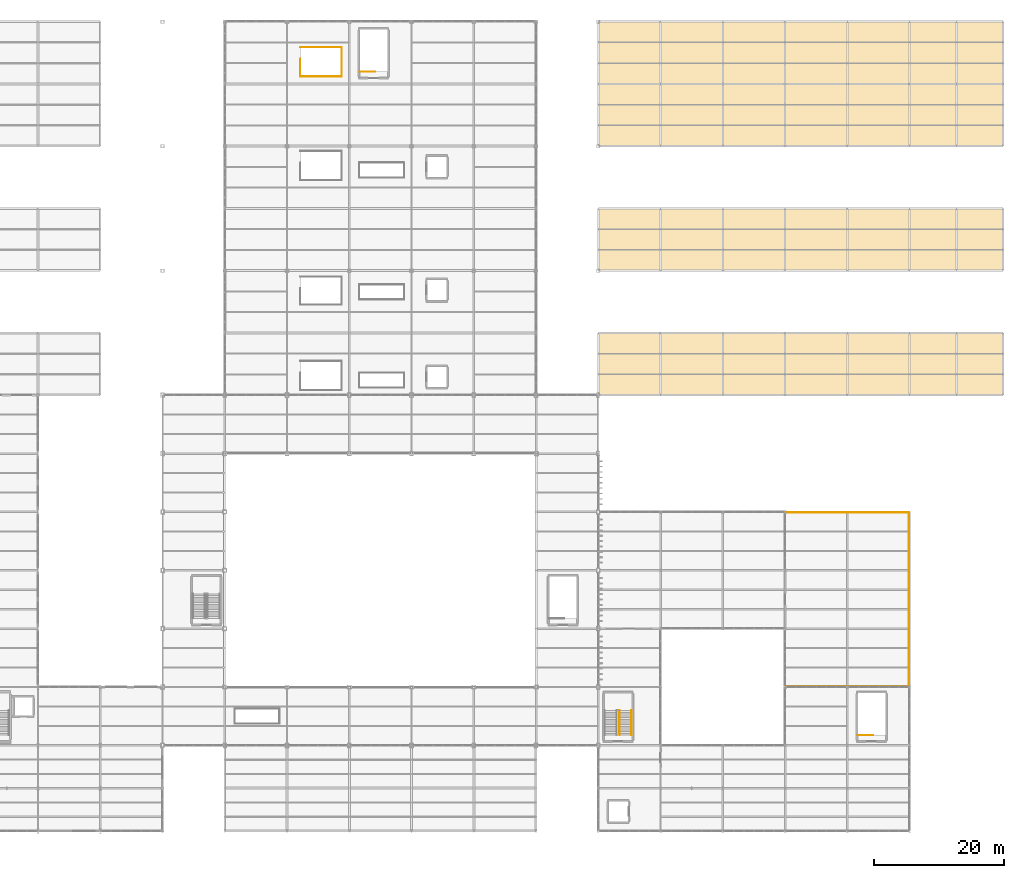
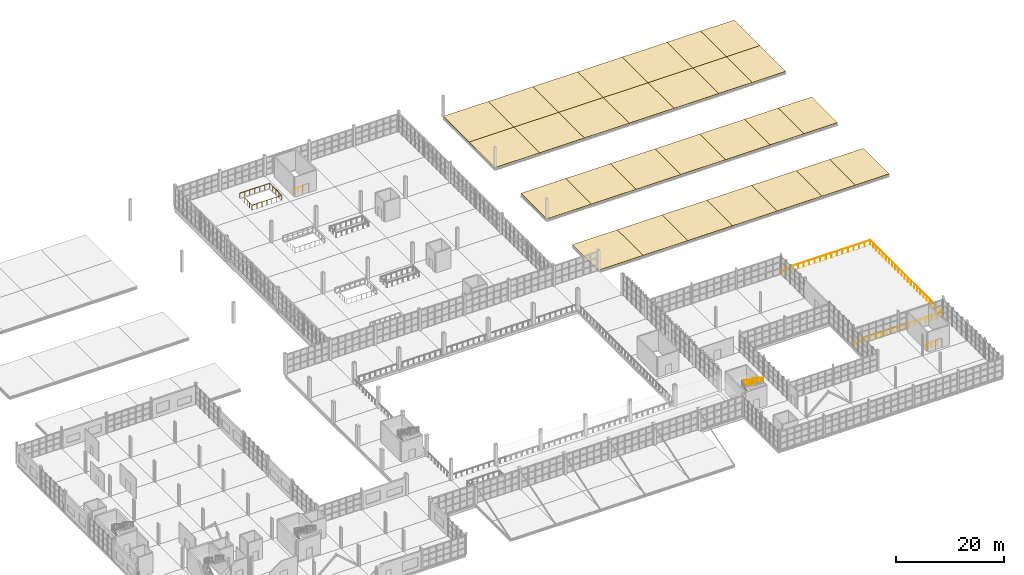
# One storey, part 120 of 120: 28 coverings, 6 railings, 1 element without a shape of its own.
"""IFC4 building model written with IfcOpenShell, lengths in metres."""

import ifcopenshell
import ifcopenshell.guid

model = None  # the IFC model being written
_history = None  # IfcOwnerHistory: only IFC2X3 demands one
_inside = {}  # id of a spatial element -> (the spatial element, [elements in it])
_under = {}  # id of a project, library or spatial element -> (it, [spatial elements below it])
_declared = {}  # id of a project -> (the project, [libraries it declares])
_typed = {}  # id of a type object -> (the type object, [elements of that type])
_made_of = {}  # id of a material, layer set ... -> (it, [elements and type objects made of it])


def new_model(schema):
    """Start an empty IFC model of exactly this schema.

    Asked for "IFC4X3", IfcOpenShell would pick the latest addendum, in which some entities
    have other attributes; the version numbers below select the first issue.
    IFC2X3 requires an IfcOwnerHistory on every rooted entity: one is made here for all.
    """
    global model, _history
    if schema == "IFC4X3":
        model = ifcopenshell.file(schema_version=(4, 3, 0, 0))
    else:
        model = ifcopenshell.file(schema=schema)
    _inside.clear()
    _under.clear()
    _declared.clear()
    _typed.clear()
    _made_of.clear()
    _history = None
    if model.schema == "IFC2X3":
        org = make("IfcOrganization", Name="unknown")
        user = make(
            "IfcPersonAndOrganization",
            ThePerson=make("IfcPerson", FamilyName="unknown"),
            TheOrganization=org,
        )
        app = make(
            "IfcApplication",
            ApplicationDeveloper=org,
            Version="unknown",
            ApplicationFullName="unknown",
            ApplicationIdentifier="unknown",
        )
        _history = make(
            "IfcOwnerHistory",
            OwningUser=user,
            OwningApplication=app,
            ChangeAction="ADDED",
            CreationDate=0,
        )
    return model


def make(cls, **values):
    """One entity of the class cls with the attributes given. An attribute that is None is left unset."""
    return model.create_entity(
        cls, **{name: value for name, value in values.items() if value is not None}
    )


def rooted(cls, **values):
    """An entity with a GlobalId (a new one), such as an element, a storey or a relation."""
    return make(cls, GlobalId=ifcopenshell.guid.new(), OwnerHistory=_history, **values)


def si_unit(unit_type, name, prefix=None):
    """IfcSIUnit, for example si_unit("LENGTHUNIT", "METRE", prefix="MILLI")."""
    return make("IfcSIUnit", UnitType=unit_type, Prefix=prefix, Name=name)


def assignment(units):
    """IfcUnitAssignment: the units of a project."""
    return None if units is None else make("IfcUnitAssignment", Units=units)


def point(xyz):
    """IfcCartesianPoint."""
    return None if xyz is None else make("IfcCartesianPoint", Coordinates=xyz)


def direction(xyz):
    """IfcDirection."""
    return None if xyz is None else make("IfcDirection", DirectionRatios=xyz)


def frame(location, z_axis=None, x_axis=None):
    """IfcAxis2Placement3D, a coordinate frame: its origin and axes. An axis left out is left unset."""
    return make(
        "IfcAxis2Placement3D",
        Location=point(location),
        Axis=direction(z_axis),
        RefDirection=direction(x_axis),
    )


def frame_2d(location, x_axis=None):
    """IfcAxis2Placement2D, a coordinate frame in the plane: its origin and x axis."""
    return make(
        "IfcAxis2Placement2D", Location=point(location), RefDirection=direction(x_axis)
    )


def origin():
    """The frame at (0, 0, 0) with its axes left unset."""
    return frame((0.0, 0.0, 0.0))


def origin_2d():
    """The frame at (0, 0) in the plane with its x axis left unset."""
    return frame_2d((0.0, 0.0))


def place(relative_to, where):
    """IfcLocalPlacement: puts the frame where relative to a parent placement (None: the world)."""
    return make(
        "IfcLocalPlacement", PlacementRelTo=relative_to, RelativePlacement=where
    )


def context(
    kind, dimensions, precision=None, world=None, true_north=None, identifier=None
):
    """IfcGeometricRepresentationContext, for example the 3D "Model" context."""
    return make(
        "IfcGeometricRepresentationContext",
        ContextIdentifier=identifier,
        ContextType=kind,
        CoordinateSpaceDimension=dimensions,
        Precision=precision,
        WorldCoordinateSystem=world,
        TrueNorth=true_north,
    )


def subcontext(parent, identifier, kind, view, scale=None):
    """IfcGeometricRepresentationSubContext, for example "Body" below "Model"."""
    return make(
        "IfcGeometricRepresentationSubContext",
        ContextIdentifier=identifier,
        ContextType=kind,
        ParentContext=parent,
        TargetScale=scale,
        TargetView=view,
    )


def project(units=None, contexts=None):
    """IfcProject with its units and contexts."""
    return rooted(
        "IfcProject",
        Name="project",
        RepresentationContexts=contexts,
        UnitsInContext=assignment(units),
    )


def spatial(cls, under=None, at=None, **own):
    """A site, building, storey or space (cls), placed at a placement, below another one or the project."""
    s = rooted(cls, ObjectPlacement=at, **own)
    if under is not None:
        _under.setdefault(under.id(), (under, []))[1].append(s)
    return s


def polyline(points):
    """IfcPolyline through the points."""
    return make("IfcPolyline", Points=[point(p) for p in points])


def profile(cls, at=None, kind="AREA", **sizes):
    """A parametric profile (cls). Its sizes go by their IFC names, for example OverallWidth=200.0."""
    return make(cls, ProfileType=kind, Position=at, **sizes)


def circle(**sizes):
    """IfcCircleProfileDef."""
    return profile("IfcCircleProfileDef", **sizes)


def outline(outer, holes=None, kind="AREA"):
    """IfcArbitraryClosedProfileDef: a profile drawn as a closed curve; with holes, ...WithVoids."""
    if holes is None:
        return make("IfcArbitraryClosedProfileDef", ProfileType=kind, OuterCurve=outer)
    return make(
        "IfcArbitraryProfileDefWithVoids",
        ProfileType=kind,
        OuterCurve=outer,
        InnerCurves=holes,
    )


def extrude(swept, where, along, depth):
    """IfcExtrudedAreaSolid: the profile swept, set in the frame where, extruded along a direction by depth."""
    return make(
        "IfcExtrudedAreaSolid",
        SweptArea=swept,
        Position=where,
        ExtrudedDirection=direction(along),
        Depth=depth,
    )


def shape(context_of_items, identifier, shape_type, items):
    """IfcShapeRepresentation: the items that make up one representation, for example the "Body"."""
    return make(
        "IfcShapeRepresentation",
        ContextOfItems=context_of_items,
        RepresentationIdentifier=identifier,
        RepresentationType=shape_type,
        Items=items,
    )


def material(Name=None, Category=None):
    """IfcMaterial."""
    return make("IfcMaterial", Name=Name, Category=Category)


def layer(
    of_material, thickness, ventilated=None, Name=None, Category=None, Priority=None
):
    """IfcMaterialLayer: one layer of a wall or slab, of a material (None: an air gap)."""
    return make(
        "IfcMaterialLayer",
        Material=of_material,
        LayerThickness=thickness,
        IsVentilated=ventilated,
        Name=Name,
        Category=Category,
        Priority=Priority,
    )


def layer_set(layers, Name=None):
    """IfcMaterialLayerSet."""
    return make("IfcMaterialLayerSet", MaterialLayers=layers, LayerSetName=Name)


def made_of(thing, what):
    """Note that an element or type object is made of a material, layer set ...; save() writes the relation."""
    if what is not None:
        _made_of.setdefault(what.id(), (what, []))[1].append(thing)
    return thing


def type_object(cls, material=None, **own):
    """A type object (cls), such as IfcWallType, which elements share."""
    return made_of(rooted(cls, **own), material)


def element(
    cls,
    number,
    at=None,
    inside=None,
    cuts=None,
    type_object=None,
    material=None,
    context=None,
    identifier="Body",
    shape_type=None,
    held_by="IfcProductDefinitionShape",
    body=None,
    shapes=None,
    **own,
):
    """One element of the class cls, such as IfcWall. Its Tag is "e" and its number.

    at: its placement. inside: the storey or other place that contains it. cuts: it is an
    opening in that element (IfcRelVoidsElement). A single representation is given by context,
    identifier, shape_type and body (its items); several are given by shapes. held_by: the class
    of the entity that holds the representations. save() writes the other relations.
    """
    e = rooted(cls, Tag="e%d" % number, ObjectPlacement=at, **own)
    if body is not None:
        shapes = [shape(context, identifier, shape_type, body)]
    if shapes is not None:
        e.Representation = make(held_by, Representations=shapes)
    if inside is not None:
        _inside.setdefault(inside.id(), (inside, []))[1].append(e)
    if cuts is not None:
        rooted(
            "IfcRelVoidsElement", RelatingBuildingElement=cuts, RelatedOpeningElement=e
        )
    if type_object is not None:
        _typed.setdefault(type_object.id(), (type_object, []))[1].append(e)
    return made_of(e, material)


def aggregate(whole, parts):
    """IfcRelAggregates: a whole, such as a stair, and the parts it consists of."""
    return rooted("IfcRelAggregates", RelatingObject=whole, RelatedObjects=parts)


def save(model, path):
    """Write the relations noted so far, then the file.

    IfcRelAggregates (storeys below a building ...), IfcRelContainedInSpatialStructure (elements
    in a storey), IfcRelDefinesByType, IfcRelAssociatesMaterial and IfcRelDeclares: one each for
    every whole, place, type object, material and project.
    """
    for whole, parts in _under.values():
        aggregate(whole, parts)
    for where, things in _inside.values():
        rooted(
            "IfcRelContainedInSpatialStructure",
            RelatedElements=things,
            RelatingStructure=where,
        )
    for kind, things in _typed.values():
        rooted("IfcRelDefinesByType", RelatedObjects=things, RelatingType=kind)
    for what, things in _made_of.values():
        rooted("IfcRelAssociatesMaterial", RelatedObjects=things, RelatingMaterial=what)
    for by, libraries in _declared.values():
        rooted("IfcRelDeclares", RelatingContext=by, RelatedDefinitions=libraries)
    model.write(path)


model = new_model("IFC4")

# Units and contexts
model_context = context("Model", 3, precision=1e-05, world=origin(), true_north=direction((0.0, 1.0)))
body_context = subcontext(model_context, "Body", "Model", "MODEL_VIEW")
ifc_project = project(units=[si_unit("LENGTHUNIT", "METRE"), si_unit("AREAUNIT", "SQUARE_METRE"), si_unit("VOLUMEUNIT", "CUBIC_METRE"), si_unit("PLANEANGLEUNIT", "RADIAN"), si_unit("MASSUNIT", "GRAM", prefix="KILO")], contexts=[model_context])

# Site, building, storey
site_placement = place(None, origin())
site = spatial("IfcSite", under=ifc_project, at=site_placement, CompositionType="ELEMENT")
building_placement = place(site_placement, origin())
building = spatial("IfcBuilding", under=site, at=building_placement, Name="Zarnetskaya Central Station", CompositionType="ELEMENT")
storey_placement = place(building_placement, frame((0.0, 0.0, 5.39990234375)))
storey = spatial("IfcBuildingStorey", under=building, at=storey_placement, Name="L01", CompositionType="ELEMENT", Elevation=5.39990234375)

# Roof, coverings
ifc_material_1 = material(Name="Concrete C30/37", Category="concrete")
roof_type = type_object("IfcRoofType", Name="RF-ASSY-FLAT", PredefinedType="FLAT_ROOF", material=ifc_material_1)
roof_placement = place(storey_placement, origin())
roof = element("IfcRoof", 1, at=roof_placement, inside=storey, type_object=roof_type, Name="Passenger platform flat canopies", PredefinedType="FLAT_ROOF")
ifc_material_2 = material(Name="Standing-seam zinc roof cladding")
ifc_layer = layer(ifc_material_2, 0.06494140625, Name="Standing-seam zinc roof cladding")
ifc_layer_set = layer_set([ifc_layer], Name="Standing-seam zinc roof cladding")
covering_type = type_object("IfcCoveringType", Name="COV-ZINC-ROOF", PredefinedType="ROOFING", material=ifc_layer_set)
covering_1_placement = place(storey_placement, origin())
covering_1 = element("IfcCovering", 2, at=covering_1_placement, type_object=covering_type, Name="Platform canopy standing-seam roofing 9-10 P-Q", PredefinedType="ROOFING", context=body_context, shape_type="SweptSolid", body=[
    extrude(outline(polyline([(124.800048828125, 67.199951171875), (134.39990234375, 67.199951171875), (134.39990234375, 76.800048828125), (124.800048828125, 76.800048828125), (124.800048828125, 67.199951171875)])), origin(), (0.0, 0.0, 1.0), 0.065185546875),
])
covering_2_placement = place(storey_placement, origin())
covering_2 = element("IfcCovering", 3, at=covering_2_placement, type_object=covering_type, Name="Platform canopy standing-seam roofing 11-12 P-Q", PredefinedType="ROOFING", context=body_context, shape_type="SweptSolid", body=[
    extrude(outline(polyline([(124.800048828125, 86.39990234375), (134.39990234375, 86.39990234375), (134.39990234375, 96.0), (124.800048828125, 96.0), (124.800048828125, 86.39990234375)])), origin(), (0.0, 0.0, 1.0), 0.065185546875),
])
covering_3_placement = place(storey_placement, origin())
covering_3 = element("IfcCovering", 4, at=covering_3_placement, type_object=covering_type, Name="Platform canopy standing-seam roofing 13-14 P-Q", PredefinedType="ROOFING", context=body_context, shape_type="SweptSolid", body=[
    extrude(outline(polyline([(124.800048828125, 105.60009765625), (134.39990234375, 105.60009765625), (134.39990234375, 115.199951171875), (124.800048828125, 115.199951171875), (124.800048828125, 105.60009765625)])), origin(), (0.0, 0.0, 1.0), 0.065185546875),
])
covering_4_placement = place(storey_placement, origin())
covering_4 = element("IfcCovering", 5, at=covering_4_placement, type_object=covering_type, Name="Platform canopy standing-seam roofing 14-15 P-Q", PredefinedType="ROOFING", context=body_context, shape_type="SweptSolid", body=[
    extrude(outline(polyline([(124.800048828125, 115.199951171875), (134.39990234375, 115.199951171875), (134.39990234375, 124.800048828125), (124.800048828125, 124.800048828125), (124.800048828125, 115.199951171875)])), origin(), (0.0, 0.0, 1.0), 0.065185546875),
])
covering_5_placement = place(storey_placement, origin())
covering_5 = element("IfcCovering", 6, at=covering_5_placement, type_object=covering_type, Name="Platform canopy standing-seam roofing 9-10 Q-R", PredefinedType="ROOFING", context=body_context, shape_type="SweptSolid", body=[
    extrude(outline(polyline([(134.39990234375, 67.199951171875), (144.0, 67.199951171875), (144.0, 76.800048828125), (134.39990234375, 76.800048828125), (134.39990234375, 67.199951171875)])), origin(), (0.0, 0.0, 1.0), 0.065185546875),
])
covering_6_placement = place(storey_placement, origin())
covering_6 = element("IfcCovering", 7, at=covering_6_placement, type_object=covering_type, Name="Platform canopy standing-seam roofing 11-12 Q-R", PredefinedType="ROOFING", context=body_context, shape_type="SweptSolid", body=[
    extrude(outline(polyline([(134.39990234375, 86.39990234375), (144.0, 86.39990234375), (144.0, 96.0), (134.39990234375, 96.0), (134.39990234375, 86.39990234375)])), origin(), (0.0, 0.0, 1.0), 0.065185546875),
])
covering_7_placement = place(storey_placement, origin())
covering_7 = element("IfcCovering", 8, at=covering_7_placement, type_object=covering_type, Name="Platform canopy standing-seam roofing 13-14 Q-R", PredefinedType="ROOFING", context=body_context, shape_type="SweptSolid", body=[
    extrude(outline(polyline([(134.39990234375, 105.60009765625), (144.0, 105.60009765625), (144.0, 115.199951171875), (134.39990234375, 115.199951171875), (134.39990234375, 105.60009765625)])), origin(), (0.0, 0.0, 1.0), 0.065185546875),
])
covering_8_placement = place(storey_placement, origin())
covering_8 = element("IfcCovering", 9, at=covering_8_placement, type_object=covering_type, Name="Platform canopy standing-seam roofing 14-15 Q-R", PredefinedType="ROOFING", context=body_context, shape_type="SweptSolid", body=[
    extrude(outline(polyline([(134.39990234375, 115.199951171875), (144.0, 115.199951171875), (144.0, 124.800048828125), (134.39990234375, 124.800048828125), (134.39990234375, 115.199951171875)])), origin(), (0.0, 0.0, 1.0), 0.065185546875),
])
covering_9_placement = place(storey_placement, origin())
covering_9 = element("IfcCovering", 10, at=covering_9_placement, type_object=covering_type, Name="Platform canopy standing-seam roofing 9-10 R-S", PredefinedType="ROOFING", context=body_context, shape_type="SweptSolid", body=[
    extrude(outline(polyline([(144.0, 67.199951171875), (153.60009765625, 67.199951171875), (153.60009765625, 76.800048828125), (144.0, 76.800048828125), (144.0, 67.199951171875)])), origin(), (0.0, 0.0, 1.0), 0.065185546875),
])
covering_10_placement = place(storey_placement, origin())
covering_10 = element("IfcCovering", 11, at=covering_10_placement, type_object=covering_type, Name="Platform canopy standing-seam roofing 11-12 R-S", PredefinedType="ROOFING", context=body_context, shape_type="SweptSolid", body=[
    extrude(outline(polyline([(144.0, 86.39990234375), (153.60009765625, 86.39990234375), (153.60009765625, 96.0), (144.0, 96.0), (144.0, 86.39990234375)])), origin(), (0.0, 0.0, 1.0), 0.065185546875),
])
covering_11_placement = place(storey_placement, origin())
covering_11 = element("IfcCovering", 12, at=covering_11_placement, type_object=covering_type, Name="Platform canopy standing-seam roofing 13-14 R-S", PredefinedType="ROOFING", context=body_context, shape_type="SweptSolid", body=[
    extrude(outline(polyline([(144.0, 105.60009765625), (153.60009765625, 105.60009765625), (153.60009765625, 115.199951171875), (144.0, 115.199951171875), (144.0, 105.60009765625)])), origin(), (0.0, 0.0, 1.0), 0.065185546875),
])
covering_12_placement = place(storey_placement, origin())
covering_12 = element("IfcCovering", 13, at=covering_12_placement, type_object=covering_type, Name="Platform canopy standing-seam roofing 14-15 R-S", PredefinedType="ROOFING", context=body_context, shape_type="SweptSolid", body=[
    extrude(outline(polyline([(144.0, 115.199951171875), (153.60009765625, 115.199951171875), (153.60009765625, 124.800048828125), (144.0, 124.800048828125), (144.0, 115.199951171875)])), origin(), (0.0, 0.0, 1.0), 0.065185546875),
])
covering_13_placement = place(storey_placement, origin())
covering_13 = element("IfcCovering", 14, at=covering_13_placement, type_object=covering_type, Name="Platform canopy standing-seam roofing 9-10 S-T", PredefinedType="ROOFING", context=body_context, shape_type="SweptSolid", body=[
    extrude(outline(polyline([(153.60009765625, 67.199951171875), (163.199951171875, 67.199951171875), (163.199951171875, 76.800048828125), (153.60009765625, 76.800048828125), (153.60009765625, 67.199951171875)])), origin(), (0.0, 0.0, 1.0), 0.065185546875),
])
covering_14_placement = place(storey_placement, origin())
covering_14 = element("IfcCovering", 15, at=covering_14_placement, type_object=covering_type, Name="Platform canopy standing-seam roofing 11-12 S-T", PredefinedType="ROOFING", context=body_context, shape_type="SweptSolid", body=[
    extrude(outline(polyline([(153.60009765625, 86.39990234375), (163.199951171875, 86.39990234375), (163.199951171875, 96.0), (153.60009765625, 96.0), (153.60009765625, 86.39990234375)])), origin(), (0.0, 0.0, 1.0), 0.065185546875),
])
covering_15_placement = place(storey_placement, origin())
covering_15 = element("IfcCovering", 16, at=covering_15_placement, type_object=covering_type, Name="Platform canopy standing-seam roofing 13-14 S-T", PredefinedType="ROOFING", context=body_context, shape_type="SweptSolid", body=[
    extrude(outline(polyline([(153.60009765625, 105.60009765625), (163.199951171875, 105.60009765625), (163.199951171875, 115.199951171875), (153.60009765625, 115.199951171875), (153.60009765625, 105.60009765625)])), origin(), (0.0, 0.0, 1.0), 0.065185546875),
])
covering_16_placement = place(storey_placement, origin())
covering_16 = element("IfcCovering", 17, at=covering_16_placement, type_object=covering_type, Name="Platform canopy standing-seam roofing 14-15 S-T", PredefinedType="ROOFING", context=body_context, shape_type="SweptSolid", body=[
    extrude(outline(polyline([(153.60009765625, 115.199951171875), (163.199951171875, 115.199951171875), (163.199951171875, 124.800048828125), (153.60009765625, 124.800048828125), (153.60009765625, 115.199951171875)])), origin(), (0.0, 0.0, 1.0), 0.065185546875),
])
covering_17_placement = place(storey_placement, origin())
covering_17 = element("IfcCovering", 18, at=covering_17_placement, type_object=covering_type, Name="Platform canopy standing-seam roofing 9-10 T-U", PredefinedType="ROOFING", context=body_context, shape_type="SweptSolid", body=[
    extrude(outline(polyline([(163.199951171875, 67.199951171875), (172.800048828125, 67.199951171875), (172.800048828125, 76.800048828125), (163.199951171875, 76.800048828125), (163.199951171875, 67.199951171875)])), origin(), (0.0, 0.0, 1.0), 0.065185546875),
])
covering_18_placement = place(storey_placement, origin())
covering_18 = element("IfcCovering", 19, at=covering_18_placement, type_object=covering_type, Name="Platform canopy standing-seam roofing 11-12 T-U", PredefinedType="ROOFING", context=body_context, shape_type="SweptSolid", body=[
    extrude(outline(polyline([(163.199951171875, 86.39990234375), (172.800048828125, 86.39990234375), (172.800048828125, 96.0), (163.199951171875, 96.0), (163.199951171875, 86.39990234375)])), origin(), (0.0, 0.0, 1.0), 0.065185546875),
])
covering_19_placement = place(storey_placement, origin())
covering_19 = element("IfcCovering", 20, at=covering_19_placement, type_object=covering_type, Name="Platform canopy standing-seam roofing 13-14 T-U", PredefinedType="ROOFING", context=body_context, shape_type="SweptSolid", body=[
    extrude(outline(polyline([(163.199951171875, 105.60009765625), (172.800048828125, 105.60009765625), (172.800048828125, 115.199951171875), (163.199951171875, 115.199951171875), (163.199951171875, 105.60009765625)])), origin(), (0.0, 0.0, 1.0), 0.065185546875),
])
covering_20_placement = place(storey_placement, origin())
covering_20 = element("IfcCovering", 21, at=covering_20_placement, type_object=covering_type, Name="Platform canopy standing-seam roofing 14-15 T-U", PredefinedType="ROOFING", context=body_context, shape_type="SweptSolid", body=[
    extrude(outline(polyline([(163.199951171875, 115.199951171875), (172.800048828125, 115.199951171875), (172.800048828125, 124.800048828125), (163.199951171875, 124.800048828125), (163.199951171875, 115.199951171875)])), origin(), (0.0, 0.0, 1.0), 0.065185546875),
])
covering_21_placement = place(storey_placement, origin())
covering_21 = element("IfcCovering", 22, at=covering_21_placement, type_object=covering_type, Name="Platform canopy standing-seam roofing 9-10 U-V", PredefinedType="ROOFING", context=body_context, shape_type="SweptSolid", body=[
    extrude(outline(polyline([(172.800048828125, 67.199951171875), (180.0, 67.199951171875), (180.0, 76.800048828125), (172.800048828125, 76.800048828125), (172.800048828125, 67.199951171875)])), origin(), (0.0, 0.0, 1.0), 0.065185546875),
])
covering_22_placement = place(storey_placement, origin())
covering_22 = element("IfcCovering", 23, at=covering_22_placement, type_object=covering_type, Name="Platform canopy standing-seam roofing 11-12 U-V", PredefinedType="ROOFING", context=body_context, shape_type="SweptSolid", body=[
    extrude(outline(polyline([(172.800048828125, 86.39990234375), (180.0, 86.39990234375), (180.0, 96.0), (172.800048828125, 96.0), (172.800048828125, 86.39990234375)])), origin(), (0.0, 0.0, 1.0), 0.065185546875),
])
covering_23_placement = place(storey_placement, origin())
covering_23 = element("IfcCovering", 24, at=covering_23_placement, type_object=covering_type, Name="Platform canopy standing-seam roofing 13-14 U-V", PredefinedType="ROOFING", context=body_context, shape_type="SweptSolid", body=[
    extrude(outline(polyline([(172.800048828125, 105.60009765625), (180.0, 105.60009765625), (180.0, 115.199951171875), (172.800048828125, 115.199951171875), (172.800048828125, 105.60009765625)])), origin(), (0.0, 0.0, 1.0), 0.065185546875),
])
covering_24_placement = place(storey_placement, origin())
covering_24 = element("IfcCovering", 25, at=covering_24_placement, type_object=covering_type, Name="Platform canopy standing-seam roofing 14-15 U-V", PredefinedType="ROOFING", context=body_context, shape_type="SweptSolid", body=[
    extrude(outline(polyline([(172.800048828125, 115.199951171875), (180.0, 115.199951171875), (180.0, 124.800048828125), (172.800048828125, 124.800048828125), (172.800048828125, 115.199951171875)])), origin(), (0.0, 0.0, 1.0), 0.065185546875),
])
covering_25_placement = place(storey_placement, origin())
covering_25 = element("IfcCovering", 26, at=covering_25_placement, type_object=covering_type, Name="Platform canopy standing-seam roofing 9-10 V-W", PredefinedType="ROOFING", context=body_context, shape_type="SweptSolid", body=[
    extrude(outline(polyline([(180.0, 67.199951171875), (187.199951171875, 67.199951171875), (187.199951171875, 76.800048828125), (180.0, 76.800048828125), (180.0, 67.199951171875)])), origin(), (0.0, 0.0, 1.0), 0.065185546875),
])
covering_26_placement = place(storey_placement, origin())
covering_26 = element("IfcCovering", 27, at=covering_26_placement, type_object=covering_type, Name="Platform canopy standing-seam roofing 11-12 V-W", PredefinedType="ROOFING", context=body_context, shape_type="SweptSolid", body=[
    extrude(outline(polyline([(180.0, 86.39990234375), (187.199951171875, 86.39990234375), (187.199951171875, 96.0), (180.0, 96.0), (180.0, 86.39990234375)])), origin(), (0.0, 0.0, 1.0), 0.065185546875),
])
covering_27_placement = place(storey_placement, origin())
covering_27 = element("IfcCovering", 28, at=covering_27_placement, type_object=covering_type, Name="Platform canopy standing-seam roofing 13-14 V-W", PredefinedType="ROOFING", context=body_context, shape_type="SweptSolid", body=[
    extrude(outline(polyline([(180.0, 105.60009765625), (187.199951171875, 105.60009765625), (187.199951171875, 115.199951171875), (180.0, 115.199951171875), (180.0, 105.60009765625)])), origin(), (0.0, 0.0, 1.0), 0.065185546875),
])
covering_28_placement = place(storey_placement, origin())
covering_28 = element("IfcCovering", 29, at=covering_28_placement, type_object=covering_type, Name="Platform canopy standing-seam roofing 14-15 V-W", PredefinedType="ROOFING", context=body_context, shape_type="SweptSolid", body=[
    extrude(outline(polyline([(180.0, 115.199951171875), (187.199951171875, 115.199951171875), (187.199951171875, 124.800048828125), (180.0, 124.800048828125), (180.0, 115.199951171875)])), origin(), (0.0, 0.0, 1.0), 0.065185546875),
])
aggregate(roof, [covering_1, covering_2, covering_3, covering_4, covering_5, covering_6, covering_7, covering_8, covering_9, covering_10, covering_11, covering_12, covering_13, covering_14, covering_15, covering_16, covering_17, covering_18, covering_19, covering_20, covering_21, covering_22, covering_23, covering_24, covering_25, covering_26, covering_27, covering_28])

# Railings
ifc_material_3 = material(Name="Steel S355", Category="steel")
railing_type_1 = type_object("IfcRailingType", Name="RAIL-BAL-1100", PredefinedType="BALUSTRADE", material=ifc_material_3)
railing_1_placement = place(storey_placement, frame((153.679931640625, 22.280029296875, 0.0)))
element("IfcRailing", 30, at=railing_1_placement, inside=storey, type_object=railing_type_1, Name="Protective deck balustrade GRD-01", PredefinedType="BALUSTRADE", context=body_context, shape_type="SweptSolid", body=[
    extrude(circle(Radius=0.02392578125, at=origin_2d()), frame((0.0, 0.0, 1.09619140625), z_axis=(1.0, 0.0, 0.0), x_axis=(0.0, 1.0, 0.0)), (0.0, 0.0, 1.0), 19.0400390625),
    extrude(circle(Radius=0.02392578125, at=origin_2d()), frame((19.0400390625, 0.0, 1.09619140625), z_axis=(0.0, 1.0, 0.0), x_axis=(-1.0, 0.0, 0.0)), (0.0, 0.0, 1.0), 26.840087890625),
    extrude(circle(Radius=0.02392578125, at=origin_2d()), frame((19.0400390625, 26.840087890625, 1.09619140625), z_axis=(-1.0, 0.0, 0.0), x_axis=(0.0, -1.0, 0.0)), (0.0, 0.0, 1.0), 19.0400390625),
    extrude(circle(Radius=0.02099609375, at=origin_2d()), origin(), (0.0, 0.0, 1.0), 1.072021484375),
    extrude(circle(Radius=0.02099609375, at=origin_2d()), frame((1.18994140625, 0.0, 0.0)), (0.0, 0.0, 1.0), 1.072021484375),
    extrude(circle(Radius=0.02099609375, at=origin_2d()), frame((2.3798828125, 0.0, 0.0)), (0.0, 0.0, 1.0), 1.072021484375),
    extrude(circle(Radius=0.02099609375, at=origin_2d()), frame((3.570068359375, 0.0, 0.0)), (0.0, 0.0, 1.0), 1.072021484375),
    extrude(circle(Radius=0.02099609375, at=origin_2d()), frame((4.760009765625, 0.0, 0.0)), (0.0, 0.0, 1.0), 1.072021484375),
    extrude(circle(Radius=0.02099609375, at=origin_2d()), frame((5.949951171875, 0.0, 0.0)), (0.0, 0.0, 1.0), 1.072021484375),
    extrude(circle(Radius=0.02099609375, at=origin_2d()), frame((7.14013671875, 0.0, 0.0)), (0.0, 0.0, 1.0), 1.072021484375),
    extrude(circle(Radius=0.02099609375, at=origin_2d()), frame((8.330078125, 0.0, 0.0)), (0.0, 0.0, 1.0), 1.072021484375),
    extrude(circle(Radius=0.02099609375, at=origin_2d()), frame((9.52001953125, 0.0, 0.0)), (0.0, 0.0, 1.0), 1.072021484375),
    extrude(circle(Radius=0.02099609375, at=origin_2d()), frame((10.7099609375, 0.0, 0.0)), (0.0, 0.0, 1.0), 1.072021484375),
    extrude(circle(Radius=0.02099609375, at=origin_2d()), frame((11.89990234375, 0.0, 0.0)), (0.0, 0.0, 1.0), 1.072021484375),
    extrude(circle(Radius=0.02099609375, at=origin_2d()), frame((13.090087890625, 0.0, 0.0)), (0.0, 0.0, 1.0), 1.072021484375),
    extrude(circle(Radius=0.02099609375, at=origin_2d()), frame((14.280029296875, 0.0, 0.0)), (0.0, 0.0, 1.0), 1.072021484375),
    extrude(circle(Radius=0.02099609375, at=origin_2d()), frame((15.469970703125, 0.0, 0.0)), (0.0, 0.0, 1.0), 1.072021484375),
    extrude(circle(Radius=0.02099609375, at=origin_2d()), frame((16.66015625, 0.0, 0.0)), (0.0, 0.0, 1.0), 1.072021484375),
    extrude(circle(Radius=0.02099609375, at=origin_2d()), frame((17.85009765625, 0.0, 0.0)), (0.0, 0.0, 1.0), 1.072021484375),
    extrude(circle(Radius=0.02099609375, at=origin_2d()), frame((19.0400390625, 0.0, 0.0)), (0.0, 0.0, 1.0), 1.072021484375),
    extrude(circle(Radius=0.02099609375, at=origin_2d()), frame((19.0400390625, 1.1669921875, 0.0)), (0.0, 0.0, 1.0), 1.072021484375),
    extrude(circle(Radius=0.02099609375, at=origin_2d()), frame((19.0400390625, 2.333984375, 0.0)), (0.0, 0.0, 1.0), 1.072021484375),
    extrude(circle(Radius=0.02099609375, at=origin_2d()), frame((19.0400390625, 3.5009765625, 0.0)), (0.0, 0.0, 1.0), 1.072021484375),
    extrude(circle(Radius=0.02099609375, at=origin_2d()), frame((19.0400390625, 4.667724609375, 0.0)), (0.0, 0.0, 1.0), 1.072021484375),
    extrude(circle(Radius=0.02099609375, at=origin_2d()), frame((19.0400390625, 5.834716796875, 0.0)), (0.0, 0.0, 1.0), 1.072021484375),
    extrude(circle(Radius=0.02099609375, at=origin_2d()), frame((19.0400390625, 7.001708984375, 0.0)), (0.0, 0.0, 1.0), 1.072021484375),
    extrude(circle(Radius=0.02099609375, at=origin_2d()), frame((19.0400390625, 8.168701171875, 0.0)), (0.0, 0.0, 1.0), 1.072021484375),
    extrude(circle(Radius=0.02099609375, at=origin_2d()), frame((19.0400390625, 9.335693359375, 0.0)), (0.0, 0.0, 1.0), 1.072021484375),
    extrude(circle(Radius=0.02099609375, at=origin_2d()), frame((19.0400390625, 10.502685546875, 0.0)), (0.0, 0.0, 1.0), 1.072021484375),
    extrude(circle(Radius=0.02099609375, at=origin_2d()), frame((19.0400390625, 11.669677734375, 0.0)), (0.0, 0.0, 1.0), 1.072021484375),
    extrude(circle(Radius=0.02099609375, at=origin_2d()), frame((19.0400390625, 12.836669921875, 0.0)), (0.0, 0.0, 1.0), 1.072021484375),
    extrude(circle(Radius=0.02099609375, at=origin_2d()), frame((19.0400390625, 14.00341796875, 0.0)), (0.0, 0.0, 1.0), 1.072021484375),
    extrude(circle(Radius=0.02099609375, at=origin_2d()), frame((19.0400390625, 15.17041015625, 0.0)), (0.0, 0.0, 1.0), 1.072021484375),
    extrude(circle(Radius=0.02099609375, at=origin_2d()), frame((19.0400390625, 16.33740234375, 0.0)), (0.0, 0.0, 1.0), 1.072021484375),
    extrude(circle(Radius=0.02099609375, at=origin_2d()), frame((19.0400390625, 17.50439453125, 0.0)), (0.0, 0.0, 1.0), 1.072021484375),
    extrude(circle(Radius=0.02099609375, at=origin_2d()), frame((19.0400390625, 18.67138671875, 0.0)), (0.0, 0.0, 1.0), 1.072021484375),
    extrude(circle(Radius=0.02099609375, at=origin_2d()), frame((19.0400390625, 19.83837890625, 0.0)), (0.0, 0.0, 1.0), 1.072021484375),
    extrude(circle(Radius=0.02099609375, at=origin_2d()), frame((19.0400390625, 21.00537109375, 0.0)), (0.0, 0.0, 1.0), 1.072021484375),
    extrude(circle(Radius=0.02099609375, at=origin_2d()), frame((19.0400390625, 22.17236328125, 0.0)), (0.0, 0.0, 1.0), 1.072021484375),
    extrude(circle(Radius=0.02099609375, at=origin_2d()), frame((19.0400390625, 23.339111328125, 0.0)), (0.0, 0.0, 1.0), 1.072021484375),
    extrude(circle(Radius=0.02099609375, at=origin_2d()), frame((19.0400390625, 24.506103515625, 0.0)), (0.0, 0.0, 1.0), 1.072021484375),
    extrude(circle(Radius=0.02099609375, at=origin_2d()), frame((19.0400390625, 25.673095703125, 0.0)), (0.0, 0.0, 1.0), 1.072021484375),
    extrude(circle(Radius=0.02099609375, at=origin_2d()), frame((19.0400390625, 26.840087890625, 0.0)), (0.0, 0.0, 1.0), 1.072021484375),
    extrude(circle(Radius=0.02099609375, at=origin_2d()), frame((17.85009765625, 26.840087890625, 0.0)), (0.0, 0.0, 1.0), 1.072021484375),
    extrude(circle(Radius=0.02099609375, at=origin_2d()), frame((16.66015625, 26.840087890625, 0.0)), (0.0, 0.0, 1.0), 1.072021484375),
    extrude(circle(Radius=0.02099609375, at=origin_2d()), frame((15.469970703125, 26.840087890625, 0.0)), (0.0, 0.0, 1.0), 1.072021484375),
    extrude(circle(Radius=0.02099609375, at=origin_2d()), frame((14.280029296875, 26.840087890625, 0.0)), (0.0, 0.0, 1.0), 1.072021484375),
    extrude(circle(Radius=0.02099609375, at=origin_2d()), frame((13.090087890625, 26.840087890625, 0.0)), (0.0, 0.0, 1.0), 1.072021484375),
    extrude(circle(Radius=0.02099609375, at=origin_2d()), frame((11.89990234375, 26.840087890625, 0.0)), (0.0, 0.0, 1.0), 1.072021484375),
    extrude(circle(Radius=0.02099609375, at=origin_2d()), frame((10.7099609375, 26.840087890625, 0.0)), (0.0, 0.0, 1.0), 1.072021484375),
    extrude(circle(Radius=0.02099609375, at=origin_2d()), frame((9.52001953125, 26.840087890625, 0.0)), (0.0, 0.0, 1.0), 1.072021484375),
    extrude(circle(Radius=0.02099609375, at=origin_2d()), frame((8.330078125, 26.840087890625, 0.0)), (0.0, 0.0, 1.0), 1.072021484375),
    extrude(circle(Radius=0.02099609375, at=origin_2d()), frame((7.14013671875, 26.840087890625, 0.0)), (0.0, 0.0, 1.0), 1.072021484375),
    extrude(circle(Radius=0.02099609375, at=origin_2d()), frame((5.949951171875, 26.840087890625, 0.0)), (0.0, 0.0, 1.0), 1.072021484375),
    extrude(circle(Radius=0.02099609375, at=origin_2d()), frame((4.760009765625, 26.840087890625, 0.0)), (0.0, 0.0, 1.0), 1.072021484375),
    extrude(circle(Radius=0.02099609375, at=origin_2d()), frame((3.570068359375, 26.840087890625, 0.0)), (0.0, 0.0, 1.0), 1.072021484375),
    extrude(circle(Radius=0.02099609375, at=origin_2d()), frame((2.3798828125, 26.840087890625, 0.0)), (0.0, 0.0, 1.0), 1.072021484375),
    extrude(circle(Radius=0.02099609375, at=origin_2d()), frame((1.18994140625, 26.840087890625, 0.0)), (0.0, 0.0, 1.0), 1.072021484375),
    extrude(circle(Radius=0.02099609375, at=origin_2d()), frame((0.0, 26.840087890625, 0.0)), (0.0, 0.0, 1.0), 1.072021484375),
])
railing_type_2 = type_object("IfcRailingType", Name="RAIL-HAND-900", PredefinedType="HANDRAIL", material=ifc_material_3)
railing_2_placement = place(storey_placement, frame((129.919921875, 18.580078125, 2.400146484375)))
element("IfcRailing", 31, at=railing_2_placement, inside=storey, type_object=railing_type_2, Name="Stair ST-V1 L01 flight 2 handrail", PredefinedType="HANDRAIL", context=body_context, shape_type="SweptSolid", body=[
    extrude(circle(Radius=0.02392578125, at=origin_2d()), frame((0.0, 0.0, 0.8759765625), z_axis=(0.0, -0.844224564207, 0.535989631606), x_axis=(1.0, 0.0, 0.0)), (0.0, 0.0, 1.0), 4.4775390625),
    extrude(circle(Radius=0.02099609375, at=origin_2d()), origin(), (0.0, 0.0, 1.0), 0.851806640625),
    extrude(circle(Radius=0.02099609375, at=origin_2d()), frame((0.0, -0.945068359375, 0.60009765625)), (0.0, 0.0, 1.0), 0.851806640625),
    extrude(circle(Radius=0.02099609375, at=origin_2d()), frame((0.0, -1.89013671875, 1.199951171875)), (0.0, 0.0, 1.0), 0.851806640625),
    extrude(circle(Radius=0.02099609375, at=origin_2d()), frame((0.0, -2.8349609375, 1.7998046875)), (0.0, 0.0, 1.0), 0.851806640625),
    extrude(circle(Radius=0.02099609375, at=origin_2d()), frame((0.0, -3.780029296875, 2.39990234375)), (0.0, 0.0, 1.0), 0.851806640625),
])
railing_type_3 = type_object("IfcRailingType", Name="RAIL-STAIR-GRD", PredefinedType="BALUSTRADE", material=ifc_material_3)
railing_3_placement = place(storey_placement, frame((128.06005859375, 18.580078125, 2.400146484375)))
element("IfcRailing", 32, at=railing_3_placement, inside=storey, type_object=railing_type_3, Name="Stair ST-V1 L01 flight 2 well guard", PredefinedType="BALUSTRADE", context=body_context, shape_type="SweptSolid", body=[
    extrude(circle(Radius=0.02392578125, at=origin_2d()), frame((0.0, 0.0, 1.09619140625), z_axis=(0.0, -0.844224564207, 0.535989631606), x_axis=(1.0, 0.0, 0.0)), (0.0, 0.0, 1.0), 4.4775390625),
    extrude(circle(Radius=0.02099609375, at=origin_2d()), origin(), (0.0, 0.0, 1.0), 1.072021484375),
    extrude(circle(Radius=0.02099609375, at=origin_2d()), frame((0.0, -0.945068359375, 0.60009765625)), (0.0, 0.0, 1.0), 1.072021484375),
    extrude(circle(Radius=0.02099609375, at=origin_2d()), frame((0.0, -1.89013671875, 1.199951171875)), (0.0, 0.0, 1.0), 1.072021484375),
    extrude(circle(Radius=0.02099609375, at=origin_2d()), frame((0.0, -2.8349609375, 1.7998046875)), (0.0, 0.0, 1.0), 1.072021484375),
    extrude(circle(Radius=0.02099609375, at=origin_2d()), frame((0.0, -3.780029296875, 2.39990234375)), (0.0, 0.0, 1.0), 1.072021484375),
])
railing_4_placement = place(storey_placement, frame((88.0400390625, 117.06005859375, 0.0)))
element("IfcRailing", 33, at=railing_4_placement, inside=storey, type_object=railing_type_3, Name="Stair ST-B1 L01 floor well guard", PredefinedType="BALUSTRADE", context=body_context, shape_type="SweptSolid", body=[
    extrude(circle(Radius=0.02392578125, at=origin_2d()), frame((0.0, 0.0, 1.09619140625), z_axis=(1.0, 0.0, 0.0), x_axis=(0.0, 1.0, 0.0)), (0.0, 0.0, 1.0), 2.320068359375),
    extrude(circle(Radius=0.02099609375, at=origin_2d()), origin(), (0.0, 0.0, 1.0), 1.072021484375),
    extrude(circle(Radius=0.02099609375, at=origin_2d()), frame((1.16015625, 0.0, 0.0)), (0.0, 0.0, 1.0), 1.072021484375),
    extrude(circle(Radius=0.02099609375, at=origin_2d()), frame((2.320068359375, 0.0, 0.0)), (0.0, 0.0, 1.0), 1.072021484375),
])
railing_5_placement = place(storey_placement, frame((164.840087890625, 14.760009765625, 0.0)))
element("IfcRailing", 34, at=railing_5_placement, inside=storey, type_object=railing_type_3, Name="Stair ST-V2 L01 floor well guard", PredefinedType="BALUSTRADE", context=body_context, shape_type="SweptSolid", body=[
    extrude(circle(Radius=0.02392578125, at=origin_2d()), frame((0.0, 0.0, 1.09619140625), z_axis=(1.0, 0.0, 0.0), x_axis=(0.0, 1.0, 0.0)), (0.0, 0.0, 1.0), 2.31982421875),
    extrude(circle(Radius=0.02099609375, at=origin_2d()), origin(), (0.0, 0.0, 1.0), 1.072021484375),
    extrude(circle(Radius=0.02099609375, at=origin_2d()), frame((1.159912109375, 0.0, 0.0)), (0.0, 0.0, 1.0), 1.072021484375),
    extrude(circle(Radius=0.02099609375, at=origin_2d()), frame((2.31982421875, 0.0, 0.0)), (0.0, 0.0, 1.0), 1.072021484375),
])
railing_6_placement = place(storey_placement, frame((78.85009765625, 119.02001953125, 0.0)))
element("IfcRailing", 35, at=railing_6_placement, inside=storey, type_object=railing_type_3, Name="Platform stair ST-P4 bridge well balustrade", PredefinedType="BALUSTRADE", context=body_context, shape_type="SweptSolid", body=[
    extrude(circle(Radius=0.02392578125, at=origin_2d()), frame((0.0, 0.0, 1.09619140625), z_axis=(0.0, -1.0, 0.0), x_axis=(1.0, 0.0, 0.0)), (0.0, 0.0, 1.0), 2.669921875),
    extrude(circle(Radius=0.02392578125, at=origin_2d()), frame((0.0, -2.669921875, 1.09619140625), z_axis=(1.0, 0.0, 0.0), x_axis=(0.0, 1.0, 0.0)), (0.0, 0.0, 1.0), 6.39990234375),
    extrude(circle(Radius=0.02392578125, at=origin_2d()), frame((6.39990234375, -2.669921875, 1.09619140625), z_axis=(0.0, 1.0, 0.0), x_axis=(-1.0, 0.0, 0.0)), (0.0, 0.0, 1.0), 4.5),
    extrude(circle(Radius=0.02392578125, at=origin_2d()), frame((6.39990234375, 1.830078125, 1.09619140625), z_axis=(-1.0, 0.0, 0.0), x_axis=(0.0, -1.0, 0.0)), (0.0, 0.0, 1.0), 6.39990234375),
    extrude(circle(Radius=0.02099609375, at=origin_2d()), origin(), (0.0, 0.0, 1.0), 1.072021484375),
    extrude(circle(Radius=0.02099609375, at=origin_2d()), frame((0.0, -0.889892578125, 0.0)), (0.0, 0.0, 1.0), 1.072021484375),
    extrude(circle(Radius=0.02099609375, at=origin_2d()), frame((0.0, -1.780029296875, 0.0)), (0.0, 0.0, 1.0), 1.072021484375),
    extrude(circle(Radius=0.02099609375, at=origin_2d()), frame((0.0, -2.669921875, 0.0)), (0.0, 0.0, 1.0), 1.072021484375),
    extrude(circle(Radius=0.02099609375, at=origin_2d()), frame((1.066650390625, -2.669921875, 0.0)), (0.0, 0.0, 1.0), 1.072021484375),
    extrude(circle(Radius=0.02099609375, at=origin_2d()), frame((2.13330078125, -2.669921875, 0.0)), (0.0, 0.0, 1.0), 1.072021484375),
    extrude(circle(Radius=0.02099609375, at=origin_2d()), frame((3.199951171875, -2.669921875, 0.0)), (0.0, 0.0, 1.0), 1.072021484375),
    extrude(circle(Radius=0.02099609375, at=origin_2d()), frame((4.2666015625, -2.669921875, 0.0)), (0.0, 0.0, 1.0), 1.072021484375),
    extrude(circle(Radius=0.02099609375, at=origin_2d()), frame((5.333251953125, -2.669921875, 0.0)), (0.0, 0.0, 1.0), 1.072021484375),
    extrude(circle(Radius=0.02099609375, at=origin_2d()), frame((6.39990234375, -2.669921875, 0.0)), (0.0, 0.0, 1.0), 1.072021484375),
    extrude(circle(Radius=0.02099609375, at=origin_2d()), frame((6.39990234375, -1.544921875, 0.0)), (0.0, 0.0, 1.0), 1.072021484375),
    extrude(circle(Radius=0.02099609375, at=origin_2d()), frame((6.39990234375, -0.419921875, 0.0)), (0.0, 0.0, 1.0), 1.072021484375),
    extrude(circle(Radius=0.02099609375, at=origin_2d()), frame((6.39990234375, 0.705078125, 0.0)), (0.0, 0.0, 1.0), 1.072021484375),
    extrude(circle(Radius=0.02099609375, at=origin_2d()), frame((6.39990234375, 1.830078125, 0.0)), (0.0, 0.0, 1.0), 1.072021484375),
    extrude(circle(Radius=0.02099609375, at=origin_2d()), frame((5.333251953125, 1.830078125, 0.0)), (0.0, 0.0, 1.0), 1.072021484375),
    extrude(circle(Radius=0.02099609375, at=origin_2d()), frame((4.2666015625, 1.830078125, 0.0)), (0.0, 0.0, 1.0), 1.072021484375),
    extrude(circle(Radius=0.02099609375, at=origin_2d()), frame((3.199951171875, 1.830078125, 0.0)), (0.0, 0.0, 1.0), 1.072021484375),
    extrude(circle(Radius=0.02099609375, at=origin_2d()), frame((2.13330078125, 1.830078125, 0.0)), (0.0, 0.0, 1.0), 1.072021484375),
    extrude(circle(Radius=0.02099609375, at=origin_2d()), frame((1.066650390625, 1.830078125, 0.0)), (0.0, 0.0, 1.0), 1.072021484375),
    extrude(circle(Radius=0.02099609375, at=origin_2d()), frame((0.0, 1.830078125, 0.0)), (0.0, 0.0, 1.0), 1.072021484375),
])

save(model, "model.ifc")
